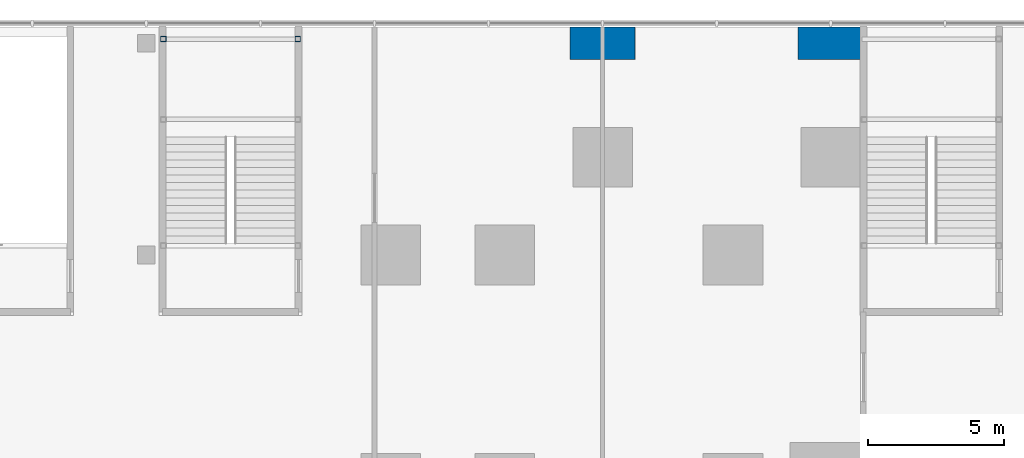
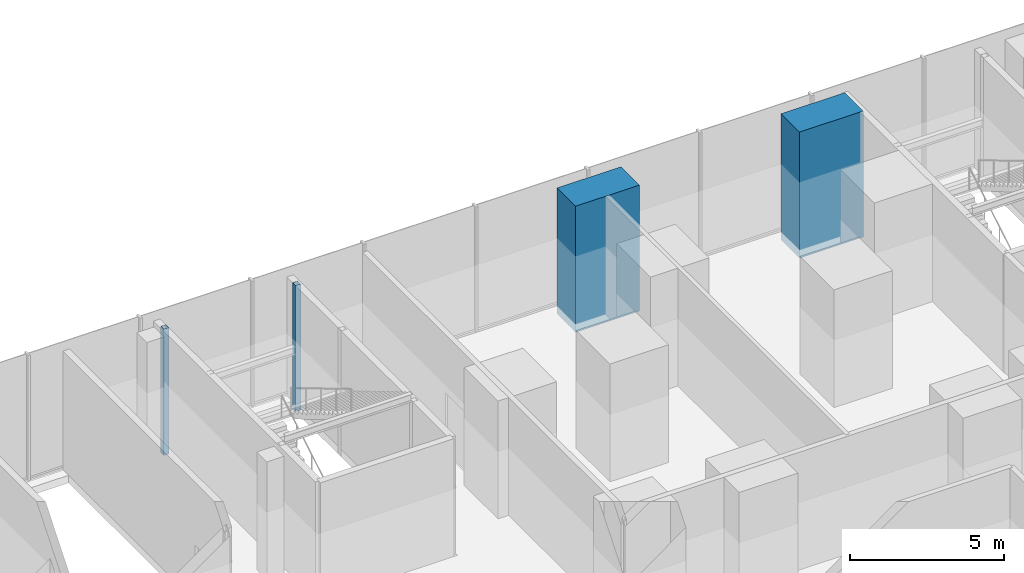
# One storey, part 12 of 33: 4 columns.
"""IFC4 building model written with IfcOpenShell, lengths in metres."""

from ifc_helpers import new_model, si_unit, direction, frame, origin, origin_2d, place, context, subcontext, project, spatial, rectangle, hollow_rectangle, extrude, material, material_profile, profile_set, type_object, element, save


model = new_model("IFC4")

# Units and contexts
model_context = context("Model", 3, precision=1e-05, world=origin(), true_north=direction((0.0, 1.0)))
body_context = subcontext(model_context, "Body", "Model", "MODEL_VIEW")
ifc_project = project(units=[si_unit("LENGTHUNIT", "METRE"), si_unit("AREAUNIT", "SQUARE_METRE"), si_unit("VOLUMEUNIT", "CUBIC_METRE"), si_unit("PLANEANGLEUNIT", "RADIAN"), si_unit("MASSUNIT", "GRAM", prefix="KILO")], contexts=[model_context])

# Site, building, storey
site_placement = place(None, origin())
site = spatial("IfcSite", under=ifc_project, at=site_placement, CompositionType="ELEMENT")
building_placement = place(site_placement, origin())
building = spatial("IfcBuilding", under=site, at=building_placement, Name="Dunama Terrace Hotel", CompositionType="ELEMENT")
storey_placement = place(building_placement, frame((0.0, 0.0, 12.0)))
storey = spatial("IfcBuildingStorey", under=building, at=storey_placement, Name="L02", CompositionType="ELEMENT", Elevation=12.0)

# Columns
ifc_material_1 = material(Name="Concrete C60/75", Category="concrete")
ifc_material_profile_1 = material_profile(ifc_material_1, rectangle(XDim=2.39990234375, YDim=1.199951171875, at=origin_2d()), Name="RC 2400x1200")
ifc_profile_set_1 = profile_set([ifc_material_profile_1], Name="Concrete C60/75")
column_type_1 = type_object("IfcColumnType", Name="Column RC 2400x1200", PredefinedType="COLUMN", material=ifc_profile_set_1)
for number, where, z_axis, x_axis, name in (
    (1, (8.39990234375, 58.199951171875, -0.300048828125), (0.0, 0.0, 1.0), (1.0, 0.0, 0.0), "Column L02 +8.4/+58.2"),
    (2, (16.800048828125, 58.199951171875, -0.300048828125), (0.0, 0.0, 1.0), (1.0, 0.0, 0.0), "Column L02 +16.8/+58.2"),
):
    element("IfcColumn", number, at=place(storey_placement, frame(where, z_axis=z_axis, x_axis=x_axis)), inside=storey, type_object=column_type_1, Name=name, PredefinedType="COLUMN", context=body_context, shape_type="SweptSolid", body=[
        extrude(rectangle(XDim=2.39990234375, YDim=1.199951171875, at=origin_2d()), origin(), (0.0, 0.0, 1.0), 5.0),
    ])
ifc_material_2 = material(Name="Steel S355", Category="steel")
ifc_material_profile_2 = material_profile(ifc_material_2, hollow_rectangle(XDim=0.199951171875, YDim=0.199951171875, WallThickness=0.010009765625, at=origin_2d()), Name="SHS 200x200x10")
ifc_profile_set_2 = profile_set([ifc_material_profile_2], Name="Steel S355")
column_type_2 = type_object("IfcColumnType", Name="Stair post SHS 200x200x10", PredefinedType="COLUMN", material=ifc_profile_set_2)
for number, where, z_axis, x_axis, name in (
    (3, (-7.77490234375, 58.35009765625, -0.300048828125), (0.0, 0.0, 1.0), (1.0, 0.0, 0.0), "Stair post P3 L02 -7.78/+58.35"),
    (4, (-2.824951171875, 58.35009765625, -0.300048828125), (0.0, 0.0, 1.0), (1.0, 0.0, 0.0), "Stair post P3 L02 -2.83/+58.35"),
):
    element("IfcColumn", number, at=place(storey_placement, frame(where, z_axis=z_axis, x_axis=x_axis)), inside=storey, type_object=column_type_2, Name=name, PredefinedType="COLUMN", context=body_context, shape_type="SweptSolid", body=[
        extrude(hollow_rectangle(XDim=0.199951171875, YDim=0.199951171875, WallThickness=0.010009765625, at=origin_2d()), origin(), (0.0, 0.0, 1.0), 5.0),
    ])

save(model, "model.ifc")
